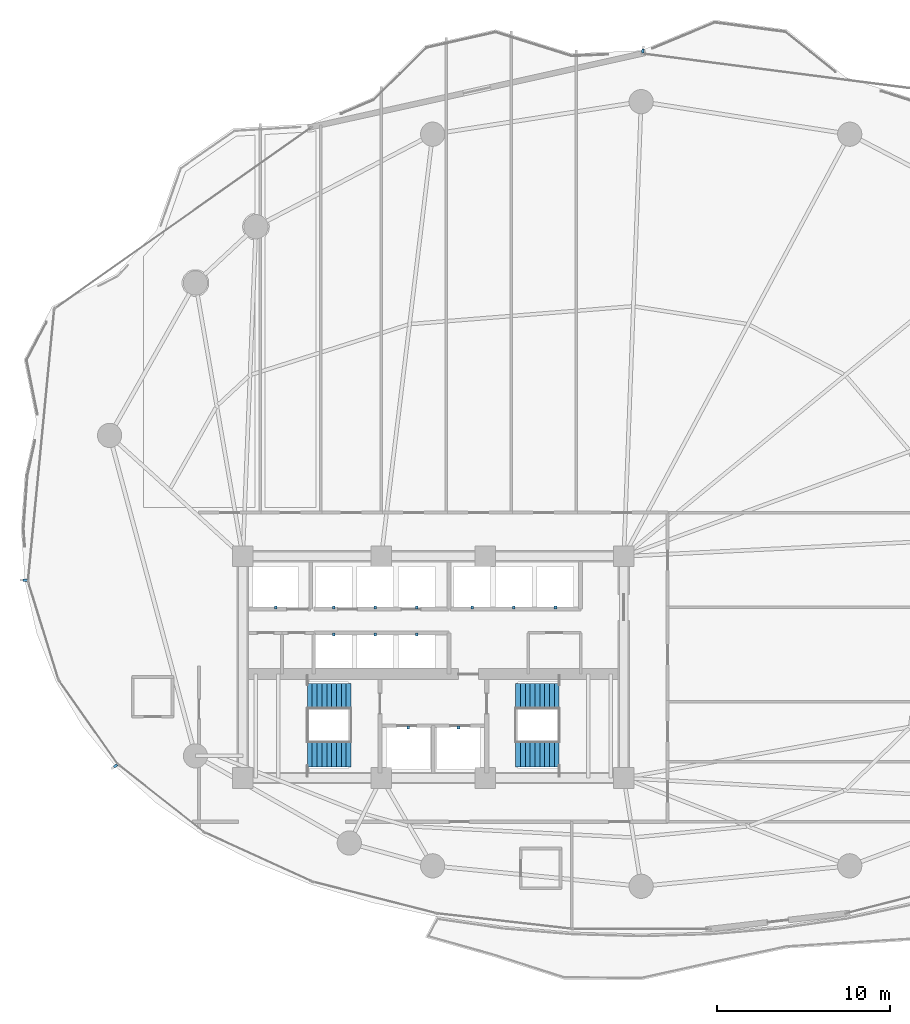
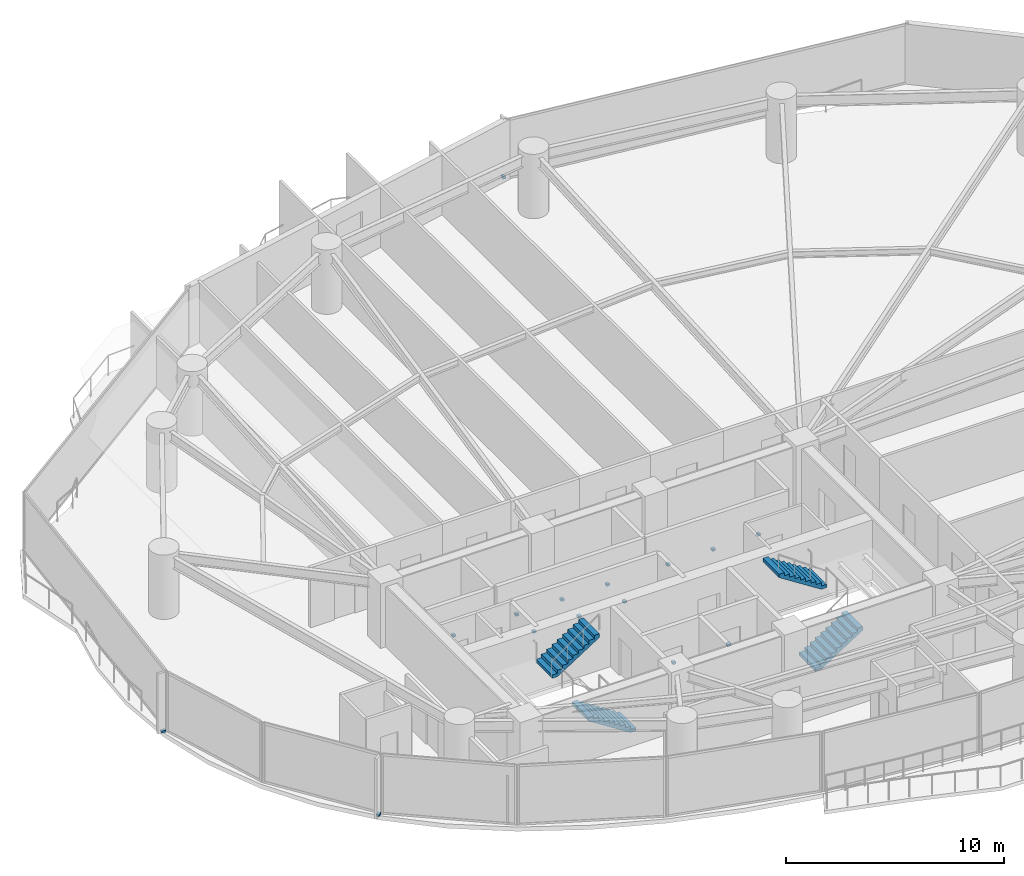
# One storey, part 27 of 31: 15 discrete accessories, 4 stair flights, 2 elements without a shape of their own.
"""IFC4 building model written with IfcOpenShell, lengths in metres."""

from ifc_helpers import new_model, si_unit, direction, frame, origin, origin_2d, place, context, subcontext, project, spatial, polyline, rectangle, outline, extrude, material, layer, layer_set, type_object, element, aggregate, save


model = new_model("IFC4")

# Units and contexts
model_context = context("Model", 3, precision=1e-05, world=origin(), true_north=direction((0.0, 1.0)))
body_context = subcontext(model_context, "Body", "Model", "MODEL_VIEW")
ifc_project = project(units=[si_unit("LENGTHUNIT", "METRE"), si_unit("AREAUNIT", "SQUARE_METRE"), si_unit("VOLUMEUNIT", "CUBIC_METRE"), si_unit("PLANEANGLEUNIT", "RADIAN"), si_unit("MASSUNIT", "GRAM", prefix="KILO")], contexts=[model_context])

# Site, building, storey
site_placement = place(None, origin())
site = spatial("IfcSite", under=ifc_project, at=site_placement, CompositionType="ELEMENT")
building_placement = place(site_placement, origin())
building = spatial("IfcBuilding", under=site, at=building_placement, Name="Kazevale Care Tower and Concert Hall", CompositionType="ELEMENT")
storey_placement = place(building_placement, frame((0.0, 0.0, 56.39990234375)))
storey = spatial("IfcBuildingStorey", under=building, at=storey_placement, Name="L14", CompositionType="ELEMENT", Elevation=56.39990234375)

# Stair, stair flights
ifc_material_1 = material(Name="Concrete C40", Category="concrete")
stair_type = type_object("IfcStairType", Name="Exit Stair Assembly ST1-Z1", PredefinedType="HALF_TURN_STAIR", material=ifc_material_1)
stair_1_placement = place(storey_placement, origin())
stair_1 = element("IfcStair", 1, at=stair_1_placement, inside=storey, type_object=stair_type, Name="stair:L14:ST1", PredefinedType="HALF_TURN_STAIR")
ifc_layer = layer(ifc_material_1, 0.159912109375)
ifc_layer_set = layer_set([ifc_layer], Name="Concrete C40")
stair_flight_type = type_object("IfcStairFlightType", Name="Exit Stair Flight ST1-Z1", PredefinedType="STRAIGHT", material=ifc_layer_set)
stair_flight_1_placement = place(storey_placement, frame((28.25, 24.989990234375, 0.0), z_axis=(0.0, 0.0, 1.0), x_axis=(-1.0, 0.0, 0.0)))
stair_flight_1 = element("IfcStairFlight", 2, at=stair_flight_1_placement, type_object=stair_flight_type, Name="ST1-Z1 flight 1", NumberOfRisers=10, NumberOfTreads=9, PredefinedType="STRAIGHT", RiserHeight=0.18, TreadLength=0.28, context=body_context, shape_type="SweptSolid", body=[
    extrude(outline(polyline([(0.0, 0.0), (0.0, 0.179931640625), (0.280029296875, 0.179931640625), (0.280029296875, 0.360107421875), (0.56005859375, 0.360107421875), (0.56005859375, 0.5400390625), (0.840087890625, 0.5400390625), (0.840087890625, 0.719970703125), (1.1201171875, 0.719970703125), (1.1201171875, 0.89990234375), (1.39990234375, 0.89990234375), (1.39990234375, 1.080078125), (1.679931640625, 1.080078125), (1.679931640625, 1.260009765625), (1.9599609375, 1.260009765625), (1.9599609375, 1.43994140625), (2.239990234375, 1.43994140625), (2.239990234375, 1.6201171875), (2.52001953125, 1.6201171875), (2.52001953125, 1.800048828125), (2.52001953125, 1.429931640625), (0.295654296875, 0.0), (0.0, 0.0)])), frame((0.0, 0.739990234375, 0.0), z_axis=(0.0, -1.0, 0.0), x_axis=(1.0, 0.0, 0.0)), (0.0, 0.0, 1.0), 1.47998046875),
])
stair_flight_2_placement = place(storey_placement, frame((25.72998046875, 28.31005859375, 1.800048828125), z_axis=(0.0, 0.0, 1.0), x_axis=(1.0, 0.0, 0.0)))
stair_flight_2 = element("IfcStairFlight", 3, at=stair_flight_2_placement, type_object=stair_flight_type, Name="ST1-Z1 flight 2", NumberOfRisers=10, NumberOfTreads=9, PredefinedType="STRAIGHT", RiserHeight=0.18, TreadLength=0.28, context=body_context, shape_type="SweptSolid", body=[
    extrude(outline(polyline([(0.0, 0.0), (0.0, 0.179931640625), (0.280029296875, 0.179931640625), (0.280029296875, 0.360107421875), (0.56005859375, 0.360107421875), (0.56005859375, 0.5400390625), (0.840087890625, 0.5400390625), (0.840087890625, 0.719970703125), (1.1201171875, 0.719970703125), (1.1201171875, 0.89990234375), (1.39990234375, 0.89990234375), (1.39990234375, 1.080078125), (1.679931640625, 1.080078125), (1.679931640625, 1.260009765625), (1.9599609375, 1.260009765625), (1.9599609375, 1.43994140625), (2.239990234375, 1.43994140625), (2.239990234375, 1.6201171875), (2.52001953125, 1.6201171875), (2.52001953125, 1.800048828125), (2.52001953125, 1.429931640625), (0.295654296875, 0.0), (0.0, 0.0)])), frame((0.0, 0.739990234375, 0.0), z_axis=(0.0, -1.0, 0.0), x_axis=(1.0, 0.0, 0.0)), (0.0, 0.0, 1.0), 1.47998046875),
])
aggregate(stair_1, [stair_flight_1, stair_flight_2])

stair_2_placement = place(storey_placement, origin())
stair_2 = element("IfcStair", 4, at=stair_2_placement, inside=storey, type_object=stair_type, Name="stair:L14:ST2", PredefinedType="HALF_TURN_STAIR")
stair_flight_3_placement = place(storey_placement, frame((37.75, 24.989990234375, 0.0), z_axis=(0.0, 0.0, 1.0), x_axis=(1.0, 0.0, 0.0)))
stair_flight_3 = element("IfcStairFlight", 5, at=stair_flight_3_placement, type_object=stair_flight_type, Name="ST1-Z1 flight 1", NumberOfRisers=10, NumberOfTreads=9, PredefinedType="STRAIGHT", RiserHeight=0.18, TreadLength=0.28, context=body_context, shape_type="SweptSolid", body=[
    extrude(outline(polyline([(0.0, 0.0), (0.0, 0.179931640625), (0.280029296875, 0.179931640625), (0.280029296875, 0.360107421875), (0.56005859375, 0.360107421875), (0.56005859375, 0.5400390625), (0.840087890625, 0.5400390625), (0.840087890625, 0.719970703125), (1.1201171875, 0.719970703125), (1.1201171875, 0.89990234375), (1.39990234375, 0.89990234375), (1.39990234375, 1.080078125), (1.679931640625, 1.080078125), (1.679931640625, 1.260009765625), (1.9599609375, 1.260009765625), (1.9599609375, 1.43994140625), (2.239990234375, 1.43994140625), (2.239990234375, 1.6201171875), (2.52001953125, 1.6201171875), (2.52001953125, 1.800048828125), (2.52001953125, 1.429931640625), (0.295654296875, 0.0), (0.0, 0.0)])), frame((0.0, 0.739990234375, 0.0), z_axis=(0.0, -1.0, 0.0), x_axis=(1.0, 0.0, 0.0)), (0.0, 0.0, 1.0), 1.47998046875),
])
stair_flight_4_placement = place(storey_placement, frame((40.27001953125, 28.31005859375, 1.800048828125), z_axis=(0.0, 0.0, 1.0), x_axis=(-1.0, 0.0, 0.0)))
stair_flight_4 = element("IfcStairFlight", 6, at=stair_flight_4_placement, type_object=stair_flight_type, Name="ST1-Z1 flight 2", NumberOfRisers=10, NumberOfTreads=9, PredefinedType="STRAIGHT", RiserHeight=0.18, TreadLength=0.28, context=body_context, shape_type="SweptSolid", body=[
    extrude(outline(polyline([(0.0, 0.0), (0.0, 0.179931640625), (0.280029296875, 0.179931640625), (0.280029296875, 0.360107421875), (0.56005859375, 0.360107421875), (0.56005859375, 0.5400390625), (0.840087890625, 0.5400390625), (0.840087890625, 0.719970703125), (1.1201171875, 0.719970703125), (1.1201171875, 0.89990234375), (1.39990234375, 0.89990234375), (1.39990234375, 1.080078125), (1.679931640625, 1.080078125), (1.679931640625, 1.260009765625), (1.9599609375, 1.260009765625), (1.9599609375, 1.43994140625), (2.239990234375, 1.43994140625), (2.239990234375, 1.6201171875), (2.52001953125, 1.6201171875), (2.52001953125, 1.800048828125), (2.52001953125, 1.429931640625), (0.295654296875, 0.0), (0.0, 0.0)])), frame((0.0, 0.739990234375, 0.0), z_axis=(0.0, -1.0, 0.0), x_axis=(1.0, 0.0, 0.0)), (0.0, 0.0, 1.0), 1.47998046875),
])
aggregate(stair_2, [stair_flight_3, stair_flight_4])

# Discrete accessories
ifc_material_2 = material(Name="Stainless Steel 316", Category="steel")
discrete_accessory_type_1 = type_object("IfcDiscreteAccessoryType", Name="Facade Fin Stainless Anchor Bracket BRK-1", PredefinedType="BRACKET", material=ifc_material_2)
for number, where, z_axis, x_axis, name in (
    (7, (14.656005859375, 24.298828125, 0.0), (0.0, 0.0, 1.0), (-0.817547124842, -0.575861700985, 0.0), "cw:L14:f11:brk"),
    (8, (9.438720703125, 35.01416015625, 0.0), (0.0, 0.0, 1.0), (-0.995379454967, 0.09601948047, 0.0), "cw:L14:f13:brk"),
    (9, (45.096923828125, 65.57080078125, 0.0), (0.0, 0.0, 1.0), (0.128103248172, 0.991760837, 0.0), "cw:L14:f16:brk"),
):
    element("IfcDiscreteAccessory", number, at=place(storey_placement, frame(where, z_axis=z_axis, x_axis=x_axis)), inside=storey, type_object=discrete_accessory_type_1, Name=name, PredefinedType="BRACKET", context=body_context, shape_type="SweptSolid", body=[
        extrude(rectangle(XDim=0.239990234375, YDim=0.139892578125, at=origin_2d()), origin(), (0.0, 0.0, 1.0), 0.1201171875),
    ])
discrete_accessory_type_2 = type_object("IfcDiscreteAccessoryType", Name="Hoistway Guide-Rail Wall Bracket HBRK-1", PredefinedType="BRACKET", material=ifc_material_2)
for number, where, z_axis, x_axis, name in (
    (10, (31.550048828125, 26.52001953125, 1.239990234375), (0.0, 0.0, 1.0), (1.0, 0.0, 0.0), "hbrk:FFL-1:L14"),
    (11, (34.449951171875, 26.52001953125, 1.239990234375), (0.0, 0.0, 1.0), (1.0, 0.0, 0.0), "hbrk:FFL-2:L14"),
    (12, (23.89990234375, 33.449951171875, 1.239990234375), (0.0, 0.0, 1.0), (1.0, 0.0, 0.0), "hbrk:SVL-1:L14"),
    (13, (27.25, 33.449951171875, 1.239990234375), (0.0, 0.0, 1.0), (1.0, 0.0, 0.0), "hbrk:PL-1:L14"),
    (14, (29.64990234375, 33.449951171875, 1.239990234375), (0.0, 0.0, 1.0), (1.0, 0.0, 0.0), "hbrk:PL-2:L14"),
    (15, (32.050048828125, 33.449951171875, 1.239990234375), (0.0, 0.0, 1.0), (1.0, 0.0, 0.0), "hbrk:PL-3:L14"),
    (16, (35.25, 33.449951171875, 1.239990234375), (0.0, 0.0, 1.0), (1.0, 0.0, 0.0), "hbrk:PM-1:L14"),
    (17, (37.64990234375, 33.449951171875, 1.239990234375), (0.0, 0.0, 1.0), (1.0, 0.0, 0.0), "hbrk:PM-2:L14"),
    (18, (40.050048828125, 33.449951171875, 1.239990234375), (0.0, 0.0, 1.0), (1.0, 0.0, 0.0), "hbrk:PM-3:L14"),
    (19, (27.25, 31.8798828125, 1.239990234375), (0.0, 0.0, 1.0), (1.0, 0.0, 0.0), "hbrk:PH-1:L14"),
    (20, (29.64990234375, 31.8798828125, 1.239990234375), (0.0, 0.0, 1.0), (1.0, 0.0, 0.0), "hbrk:PH-2:L14"),
    (21, (32.050048828125, 31.8798828125, 1.239990234375), (0.0, 0.0, 1.0), (1.0, 0.0, 0.0), "hbrk:PH-3:L14"),
):
    element("IfcDiscreteAccessory", number, at=place(storey_placement, frame(where, z_axis=z_axis, x_axis=x_axis)), inside=storey, type_object=discrete_accessory_type_2, Name=name, PredefinedType="BRACKET", context=body_context, shape_type="SweptSolid", body=[
        extrude(rectangle(XDim=0.159912109375, YDim=0.179931640625, at=origin_2d()), origin(), (0.0, 0.0, 1.0), 0.1201171875),
    ])

save(model, "model.ifc")
